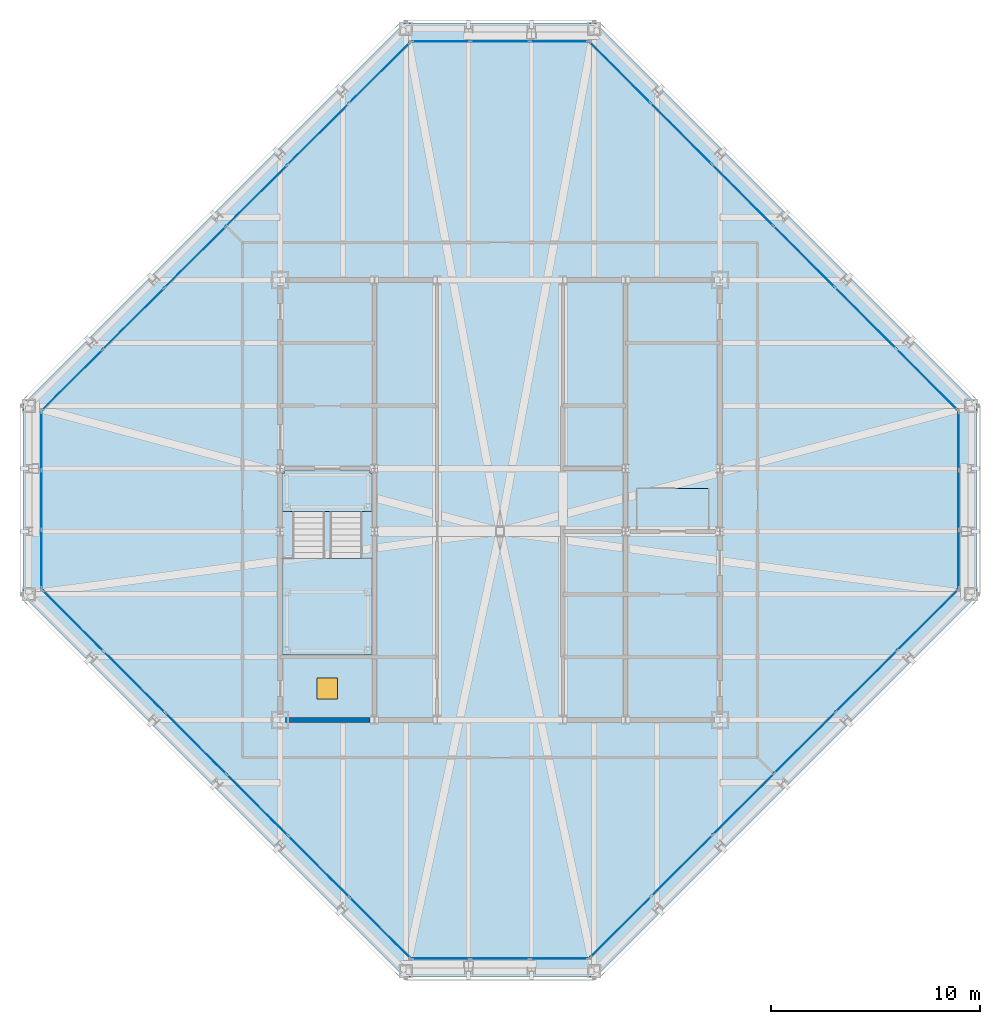
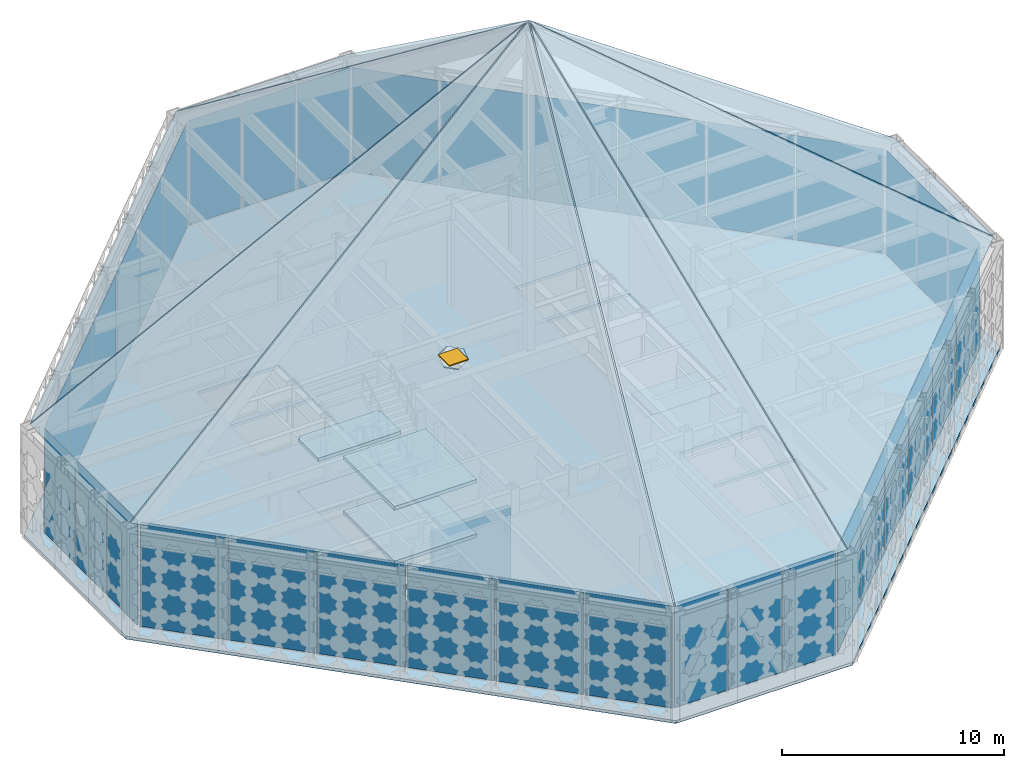
# One storey, part 13 of 30: 36 plates, 14 slabs, 1 door, 1 wall, 1 opening, 9 elements without a shape of their own.
"""IFC4 building model written with IfcOpenShell, lengths in metres."""

from ifc_helpers import new_model, si_unit, direction, frame, frame_2d, origin, origin_2d, place, context, subcontext, project, spatial, polyline, rectangle, outline, extrude, material, layer, layer_set, type_object, element, fill, aggregate, save


model = new_model("IFC4")

# Units and contexts
model_context = context("Model", 3, precision=1e-05, world=origin(), true_north=direction((0.0, 1.0)))
body_context = subcontext(model_context, "Body", "Model", "MODEL_VIEW")
ifc_project = project(units=[si_unit("LENGTHUNIT", "METRE"), si_unit("AREAUNIT", "SQUARE_METRE"), si_unit("VOLUMEUNIT", "CUBIC_METRE"), si_unit("PLANEANGLEUNIT", "RADIAN"), si_unit("MASSUNIT", "GRAM", prefix="KILO")], contexts=[model_context])

# Site, building, storey
site_placement = place(None, origin())
site = spatial("IfcSite", under=ifc_project, at=site_placement, CompositionType="ELEMENT")
building_placement = place(site_placement, origin())
building = spatial("IfcBuilding", under=site, at=building_placement, Name="Chuquiago Exchange Tower", CompositionType="ELEMENT")
storey_placement = place(building_placement, frame((0.0, 0.0, 306.0)))
storey = spatial("IfcBuildingStorey", under=building, at=storey_placement, Name="L68", CompositionType="ELEMENT", Elevation=306.0)

# Curtain wall, plate
ifc_material_1 = material(Name="Aluminium curtain wall system", Category="aluminium")
ifc_layer_1 = layer(ifc_material_1, 0.199951171875)
ifc_layer_set_1 = layer_set([ifc_layer_1], Name="CW5 lantern curtain wall")
curtain_wall_type = type_object("IfcCurtainWallType", Name="CW5 lantern curtain wall", PredefinedType="NOTDEFINED", material=ifc_layer_set_1)
curtain_wall_1_placement = place(storey_placement, origin())
curtain_wall_1 = element("IfcCurtainWall", 1, at=curtain_wall_1_placement, inside=storey, type_object=curtain_wall_type, Name="CW5 curtain wall L68", PredefinedType="NOTDEFINED")
ifc_material_2 = material(Name="Glass, insulating unit", Category="glass")
ifc_layer_2 = layer(ifc_material_2, 0.02392578125)
ifc_layer_set_2 = layer_set([ifc_layer_2], Name="CW5-P panel 24")
plate_type_1 = type_object("IfcPlateType", Name="CW5-P panel 24", PredefinedType="CURTAIN_PANEL", material=ifc_layer_set_2)
plate_1_placement = place(storey_placement, frame((25.3193359375, 0.60009765625, 0.06005859375), z_axis=(0.0, 0.0, 1.0), x_axis=(1.0, 0.0, 0.0)))
plate_1 = element("IfcPlate", 2, at=plate_1_placement, type_object=plate_type_1, Name="CW5 panel 3.1", PredefinedType="CURTAIN_PANEL", context=body_context, shape_type="SweptSolid", body=[
    extrude(rectangle(XDim=2.744384765625, YDim=0.02392578125, at=origin_2d()), origin(), (0.0, 0.0, 1.0), 5.739990234375),
])

# Curtain wall, plates
curtain_wall_2_placement = place(storey_placement, origin())
curtain_wall_2 = element("IfcCurtainWall", 3, at=curtain_wall_2_placement, inside=storey, type_object=curtain_wall_type, Name="CW5 curtain wall L68", PredefinedType="NOTDEFINED")
plate_2_placement = place(storey_placement, frame((28.26513671875, 2.11376953125, 0.06005859375), z_axis=(0.0, 0.0, 1.0), x_axis=(0.707108788515, 0.707104773852, 0.0)))
plate_2 = element("IfcPlate", 4, at=plate_2_placement, type_object=plate_type_1, Name="CW5 panel 1.1", PredefinedType="CURTAIN_PANEL", context=body_context, shape_type="SweptSolid", body=[
    extrude(rectangle(XDim=4.0615234375, YDim=0.02392578125, at=origin_2d()), origin(), (0.0, 0.0, 1.0), 5.739990234375),
])
plate_3_placement = place(storey_placement, frame((31.190185546875, 5.03857421875, 0.06005859375), z_axis=(0.0, 0.0, 1.0), x_axis=(0.707108788515, 0.707104773852, 0.0)))
plate_3 = element("IfcPlate", 5, at=plate_3_placement, type_object=plate_type_1, Name="CW5 panel 2.1", PredefinedType="CURTAIN_PANEL", context=body_context, shape_type="SweptSolid", body=[
    extrude(rectangle(XDim=4.091552734375, YDim=0.02392578125, at=origin_2d()), origin(), (0.0, 0.0, 1.0), 5.739990234375),
])
plate_4_placement = place(storey_placement, frame((34.125732421875, 7.97412109375, 0.06005859375), z_axis=(0.0, 0.0, 1.0), x_axis=(0.707108788515, 0.707104773852, 0.0)))
plate_4 = element("IfcPlate", 6, at=plate_4_placement, type_object=plate_type_1, Name="CW5 panel 3.1", PredefinedType="CURTAIN_PANEL", context=body_context, shape_type="SweptSolid", body=[
    extrude(rectangle(XDim=4.091552734375, YDim=0.02392578125, at=origin_2d()), origin(), (0.0, 0.0, 1.0), 5.739990234375),
])
plate_5_placement = place(storey_placement, frame((37.061279296875, 10.90966796875, 0.06005859375), z_axis=(0.0, 0.0, 1.0), x_axis=(0.707108788515, 0.707104773852, 0.0)))
plate_5 = element("IfcPlate", 7, at=plate_5_placement, type_object=plate_type_1, Name="CW5 panel 4.1", PredefinedType="CURTAIN_PANEL", context=body_context, shape_type="SweptSolid", body=[
    extrude(rectangle(XDim=4.091552734375, YDim=0.02392578125, at=origin_2d()), origin(), (0.0, 0.0, 1.0), 5.739990234375),
])
plate_6_placement = place(storey_placement, frame((39.99658203125, 13.84521484375, 0.06005859375), z_axis=(0.0, 0.0, 1.0), x_axis=(0.707108788515, 0.707104773852, 0.0)))
plate_6 = element("IfcPlate", 8, at=plate_6_placement, type_object=plate_type_1, Name="CW5 panel 5.1", PredefinedType="CURTAIN_PANEL", context=body_context, shape_type="SweptSolid", body=[
    extrude(rectangle(XDim=4.091552734375, YDim=0.02392578125, at=origin_2d()), origin(), (0.0, 0.0, 1.0), 5.739990234375),
])
plate_7_placement = place(storey_placement, frame((42.921630859375, 16.77001953125, 0.06005859375), z_axis=(0.0, 0.0, 1.0), x_axis=(0.707108788515, 0.707104773852, 0.0)))
plate_7 = element("IfcPlate", 9, at=plate_7_placement, type_object=plate_type_1, Name="CW5 panel 6.1", PredefinedType="CURTAIN_PANEL", context=body_context, shape_type="SweptSolid", body=[
    extrude(rectangle(XDim=4.0615234375, YDim=0.02392578125, at=origin_2d()), origin(), (0.0, 0.0, 1.0), 5.739990234375),
])
aggregate(curtain_wall_2, [plate_2, plate_3, plate_4, plate_5, plate_6, plate_7])

# Curtain wall, plate
curtain_wall_3_placement = place(storey_placement, origin())
curtain_wall_3 = element("IfcCurtainWall", 10, at=curtain_wall_3_placement, inside=storey, type_object=curtain_wall_type, Name="CW5 curtain wall L68", PredefinedType="NOTDEFINED")
plate_8_placement = place(storey_placement, frame((44.39990234375, 25.3193359375, 0.06005859375), z_axis=(0.0, 0.0, 1.0), x_axis=(0.0, 1.0, 0.0)))
plate_8 = element("IfcPlate", 11, at=plate_8_placement, type_object=plate_type_1, Name="CW5 panel 3.1", PredefinedType="CURTAIN_PANEL", context=body_context, shape_type="SweptSolid", body=[
    extrude(rectangle(XDim=2.744384765625, YDim=0.02392578125, at=origin_2d()), origin(), (0.0, 0.0, 1.0), 5.739990234375),
])

# Curtain wall, plates
curtain_wall_4_placement = place(storey_placement, origin())
curtain_wall_4 = element("IfcCurtainWall", 12, at=curtain_wall_4_placement, inside=storey, type_object=curtain_wall_type, Name="CW5 curtain wall L68", PredefinedType="NOTDEFINED")
plate_9_placement = place(storey_placement, frame((42.88623046875, 28.26513671875, 0.06005859375), z_axis=(0.0, 0.0, 1.0), x_axis=(-0.707104773852, 0.707108788515, 0.0)))
plate_9 = element("IfcPlate", 13, at=plate_9_placement, type_object=plate_type_1, Name="CW5 panel 1.1", PredefinedType="CURTAIN_PANEL", context=body_context, shape_type="SweptSolid", body=[
    extrude(rectangle(XDim=4.0615234375, YDim=0.02392578125, at=origin_2d()), origin(), (0.0, 0.0, 1.0), 5.739990234375),
])
plate_10_placement = place(storey_placement, frame((39.96142578125, 31.190185546875, 0.06005859375), z_axis=(0.0, 0.0, 1.0), x_axis=(-0.707104773852, 0.707108788515, 0.0)))
plate_10 = element("IfcPlate", 14, at=plate_10_placement, type_object=plate_type_1, Name="CW5 panel 2.1", PredefinedType="CURTAIN_PANEL", context=body_context, shape_type="SweptSolid", body=[
    extrude(rectangle(XDim=4.091552734375, YDim=0.02392578125, at=origin_2d()), origin(), (0.0, 0.0, 1.0), 5.739990234375),
])
plate_11_placement = place(storey_placement, frame((37.02587890625, 34.125732421875, 0.06005859375), z_axis=(0.0, 0.0, 1.0), x_axis=(-0.707104773852, 0.707108788515, 0.0)))
plate_11 = element("IfcPlate", 15, at=plate_11_placement, type_object=plate_type_1, Name="CW5 panel 3.1", PredefinedType="CURTAIN_PANEL", context=body_context, shape_type="SweptSolid", body=[
    extrude(rectangle(XDim=4.091552734375, YDim=0.02392578125, at=origin_2d()), origin(), (0.0, 0.0, 1.0), 5.739990234375),
])
plate_12_placement = place(storey_placement, frame((34.09033203125, 37.061279296875, 0.06005859375), z_axis=(0.0, 0.0, 1.0), x_axis=(-0.707104773852, 0.707108788515, 0.0)))
plate_12 = element("IfcPlate", 16, at=plate_12_placement, type_object=plate_type_1, Name="CW5 panel 4.1", PredefinedType="CURTAIN_PANEL", context=body_context, shape_type="SweptSolid", body=[
    extrude(rectangle(XDim=4.091552734375, YDim=0.02392578125, at=origin_2d()), origin(), (0.0, 0.0, 1.0), 5.739990234375),
])
plate_13_placement = place(storey_placement, frame((31.15478515625, 39.99658203125, 0.06005859375), z_axis=(0.0, 0.0, 1.0), x_axis=(-0.707104773852, 0.707108788515, 0.0)))
plate_13 = element("IfcPlate", 17, at=plate_13_placement, type_object=plate_type_1, Name="CW5 panel 5.1", PredefinedType="CURTAIN_PANEL", context=body_context, shape_type="SweptSolid", body=[
    extrude(rectangle(XDim=4.091552734375, YDim=0.02392578125, at=origin_2d()), origin(), (0.0, 0.0, 1.0), 5.739990234375),
])
plate_14_placement = place(storey_placement, frame((28.22998046875, 42.921630859375, 0.06005859375), z_axis=(0.0, 0.0, 1.0), x_axis=(-0.707104773852, 0.707108788515, 0.0)))
plate_14 = element("IfcPlate", 18, at=plate_14_placement, type_object=plate_type_1, Name="CW5 panel 6.1", PredefinedType="CURTAIN_PANEL", context=body_context, shape_type="SweptSolid", body=[
    extrude(rectangle(XDim=4.0615234375, YDim=0.02392578125, at=origin_2d()), origin(), (0.0, 0.0, 1.0), 5.739990234375),
])
aggregate(curtain_wall_4, [plate_9, plate_10, plate_11, plate_12, plate_13, plate_14])

# Curtain wall, plate
curtain_wall_5_placement = place(storey_placement, origin())
curtain_wall_5 = element("IfcCurtainWall", 19, at=curtain_wall_5_placement, inside=storey, type_object=curtain_wall_type, Name="CW5 curtain wall L68", PredefinedType="NOTDEFINED")
plate_15_placement = place(storey_placement, frame((19.6806640625, 44.39990234375, 0.06005859375), z_axis=(0.0, 0.0, 1.0), x_axis=(-1.0, 0.0, 0.0)))
plate_15 = element("IfcPlate", 20, at=plate_15_placement, type_object=plate_type_1, Name="CW5 panel 3.1", PredefinedType="CURTAIN_PANEL", context=body_context, shape_type="SweptSolid", body=[
    extrude(rectangle(XDim=2.744384765625, YDim=0.02392578125, at=origin_2d()), origin(), (0.0, 0.0, 1.0), 5.739990234375),
])

# Curtain wall, plates
curtain_wall_6_placement = place(storey_placement, origin())
curtain_wall_6 = element("IfcCurtainWall", 21, at=curtain_wall_6_placement, inside=storey, type_object=curtain_wall_type, Name="CW5 curtain wall L68", PredefinedType="NOTDEFINED")
plate_16_placement = place(storey_placement, frame((16.73486328125, 42.88623046875, 0.06005859375), z_axis=(0.0, 0.0, 1.0), x_axis=(-0.707108788515, -0.707104773852, 0.0)))
plate_16 = element("IfcPlate", 22, at=plate_16_placement, type_object=plate_type_1, Name="CW5 panel 1.1", PredefinedType="CURTAIN_PANEL", context=body_context, shape_type="SweptSolid", body=[
    extrude(rectangle(XDim=4.0615234375, YDim=0.02392578125, at=origin_2d()), origin(), (0.0, 0.0, 1.0), 5.739990234375),
])
plate_17_placement = place(storey_placement, frame((13.809814453125, 39.96142578125, 0.06005859375), z_axis=(0.0, 0.0, 1.0), x_axis=(-0.707108788515, -0.707104773852, 0.0)))
plate_17 = element("IfcPlate", 23, at=plate_17_placement, type_object=plate_type_1, Name="CW5 panel 2.1", PredefinedType="CURTAIN_PANEL", context=body_context, shape_type="SweptSolid", body=[
    extrude(rectangle(XDim=4.091552734375, YDim=0.02392578125, at=origin_2d()), origin(), (0.0, 0.0, 1.0), 5.739990234375),
])
plate_18_placement = place(storey_placement, frame((10.874267578125, 37.02587890625, 0.06005859375), z_axis=(0.0, 0.0, 1.0), x_axis=(-0.707108788515, -0.707104773852, 0.0)))
plate_18 = element("IfcPlate", 24, at=plate_18_placement, type_object=plate_type_1, Name="CW5 panel 3.1", PredefinedType="CURTAIN_PANEL", context=body_context, shape_type="SweptSolid", body=[
    extrude(rectangle(XDim=4.091552734375, YDim=0.02392578125, at=origin_2d()), origin(), (0.0, 0.0, 1.0), 5.739990234375),
])
plate_19_placement = place(storey_placement, frame((7.938720703125, 34.09033203125, 0.06005859375), z_axis=(0.0, 0.0, 1.0), x_axis=(-0.707108788515, -0.707104773852, 0.0)))
plate_19 = element("IfcPlate", 25, at=plate_19_placement, type_object=plate_type_1, Name="CW5 panel 4.1", PredefinedType="CURTAIN_PANEL", context=body_context, shape_type="SweptSolid", body=[
    extrude(rectangle(XDim=4.091552734375, YDim=0.02392578125, at=origin_2d()), origin(), (0.0, 0.0, 1.0), 5.739990234375),
])
plate_20_placement = place(storey_placement, frame((5.00341796875, 31.15478515625, 0.06005859375), z_axis=(0.0, 0.0, 1.0), x_axis=(-0.707108788515, -0.707104773852, 0.0)))
plate_20 = element("IfcPlate", 26, at=plate_20_placement, type_object=plate_type_1, Name="CW5 panel 5.1", PredefinedType="CURTAIN_PANEL", context=body_context, shape_type="SweptSolid", body=[
    extrude(rectangle(XDim=4.091552734375, YDim=0.02392578125, at=origin_2d()), origin(), (0.0, 0.0, 1.0), 5.739990234375),
])
plate_21_placement = place(storey_placement, frame((2.078369140625, 28.22998046875, 0.06005859375), z_axis=(0.0, 0.0, 1.0), x_axis=(-0.707108788515, -0.707104773852, 0.0)))
plate_21 = element("IfcPlate", 27, at=plate_21_placement, type_object=plate_type_1, Name="CW5 panel 6.1", PredefinedType="CURTAIN_PANEL", context=body_context, shape_type="SweptSolid", body=[
    extrude(rectangle(XDim=4.0615234375, YDim=0.02392578125, at=origin_2d()), origin(), (0.0, 0.0, 1.0), 5.739990234375),
])
aggregate(curtain_wall_6, [plate_16, plate_17, plate_18, plate_19, plate_20, plate_21])

# Curtain wall, plate
curtain_wall_7_placement = place(storey_placement, origin())
curtain_wall_7 = element("IfcCurtainWall", 28, at=curtain_wall_7_placement, inside=storey, type_object=curtain_wall_type, Name="CW5 curtain wall L68", PredefinedType="NOTDEFINED")
plate_22_placement = place(storey_placement, frame((0.60009765625, 19.6806640625, 0.06005859375), z_axis=(0.0, 0.0, 1.0), x_axis=(0.0, -1.0, 0.0)))
plate_22 = element("IfcPlate", 29, at=plate_22_placement, type_object=plate_type_1, Name="CW5 panel 3.1", PredefinedType="CURTAIN_PANEL", context=body_context, shape_type="SweptSolid", body=[
    extrude(rectangle(XDim=2.744384765625, YDim=0.02392578125, at=origin_2d()), origin(), (0.0, 0.0, 1.0), 5.739990234375),
])

# Curtain wall, plates
curtain_wall_8_placement = place(storey_placement, origin())
curtain_wall_8 = element("IfcCurtainWall", 30, at=curtain_wall_8_placement, inside=storey, type_object=curtain_wall_type, Name="CW5 curtain wall L68", PredefinedType="NOTDEFINED")
plate_23_placement = place(storey_placement, frame((2.11376953125, 16.73486328125, 0.06005859375), z_axis=(0.0, 0.0, 1.0), x_axis=(0.707104773852, -0.707108788515, 0.0)))
plate_23 = element("IfcPlate", 31, at=plate_23_placement, type_object=plate_type_1, Name="CW5 panel 1.1", PredefinedType="CURTAIN_PANEL", context=body_context, shape_type="SweptSolid", body=[
    extrude(rectangle(XDim=4.0615234375, YDim=0.02392578125, at=origin_2d()), origin(), (0.0, 0.0, 1.0), 5.739990234375),
])
plate_24_placement = place(storey_placement, frame((5.03857421875, 13.809814453125, 0.06005859375), z_axis=(0.0, 0.0, 1.0), x_axis=(0.707104773852, -0.707108788515, 0.0)))
plate_24 = element("IfcPlate", 32, at=plate_24_placement, type_object=plate_type_1, Name="CW5 panel 2.1", PredefinedType="CURTAIN_PANEL", context=body_context, shape_type="SweptSolid", body=[
    extrude(rectangle(XDim=4.091552734375, YDim=0.02392578125, at=origin_2d()), origin(), (0.0, 0.0, 1.0), 5.739990234375),
])
plate_25_placement = place(storey_placement, frame((7.97412109375, 10.874267578125, 0.06005859375), z_axis=(0.0, 0.0, 1.0), x_axis=(0.707104773852, -0.707108788515, 0.0)))
plate_25 = element("IfcPlate", 33, at=plate_25_placement, type_object=plate_type_1, Name="CW5 panel 3.1", PredefinedType="CURTAIN_PANEL", context=body_context, shape_type="SweptSolid", body=[
    extrude(rectangle(XDim=4.091552734375, YDim=0.02392578125, at=origin_2d()), origin(), (0.0, 0.0, 1.0), 5.739990234375),
])
plate_26_placement = place(storey_placement, frame((10.90966796875, 7.938720703125, 0.06005859375), z_axis=(0.0, 0.0, 1.0), x_axis=(0.707104773852, -0.707108788515, 0.0)))
plate_26 = element("IfcPlate", 34, at=plate_26_placement, type_object=plate_type_1, Name="CW5 panel 4.1", PredefinedType="CURTAIN_PANEL", context=body_context, shape_type="SweptSolid", body=[
    extrude(rectangle(XDim=4.091552734375, YDim=0.02392578125, at=origin_2d()), origin(), (0.0, 0.0, 1.0), 5.739990234375),
])
plate_27_placement = place(storey_placement, frame((13.84521484375, 5.00341796875, 0.06005859375), z_axis=(0.0, 0.0, 1.0), x_axis=(0.707104773852, -0.707108788515, 0.0)))
plate_27 = element("IfcPlate", 35, at=plate_27_placement, type_object=plate_type_1, Name="CW5 panel 5.1", PredefinedType="CURTAIN_PANEL", context=body_context, shape_type="SweptSolid", body=[
    extrude(rectangle(XDim=4.091552734375, YDim=0.02392578125, at=origin_2d()), origin(), (0.0, 0.0, 1.0), 5.739990234375),
])
plate_28_placement = place(storey_placement, frame((16.77001953125, 2.078369140625, 0.06005859375), z_axis=(0.0, 0.0, 1.0), x_axis=(0.707104773852, -0.707108788515, 0.0)))
plate_28 = element("IfcPlate", 36, at=plate_28_placement, type_object=plate_type_1, Name="CW5 panel 6.1", PredefinedType="CURTAIN_PANEL", context=body_context, shape_type="SweptSolid", body=[
    extrude(rectangle(XDim=4.0615234375, YDim=0.02392578125, at=origin_2d()), origin(), (0.0, 0.0, 1.0), 5.739990234375),
])
aggregate(curtain_wall_8, [plate_23, plate_24, plate_25, plate_26, plate_27, plate_28])

# Plate
ifc_material_3 = material(Name="Insulated spandrel panel, pale anodised aluminium", Category="aluminium")
ifc_layer_3 = layer(ifc_material_3, 0.02392578125)
ifc_layer_set_3 = layer_set([ifc_layer_3], Name="CW5-P spandrel panel 24")
plate_type_2 = type_object("IfcPlateType", Name="CW5-P spandrel panel 24", PredefinedType="CURTAIN_PANEL", material=ifc_layer_set_3)
plate_29_placement = place(storey_placement, frame((19.6806640625, 0.60009765625, 0.06005859375), z_axis=(0.0, 0.0, 1.0), x_axis=(1.0, 0.0, 0.0)))
plate_29 = element("IfcPlate", 37, at=plate_29_placement, type_object=plate_type_2, Name="CW5 panel 1.1", PredefinedType="CURTAIN_PANEL", context=body_context, shape_type="SweptSolid", body=[
    extrude(rectangle(XDim=2.744384765625, YDim=0.02392578125, at=origin_2d()), origin(), (0.0, 0.0, 1.0), 5.739990234375),
])

plate_30_placement = place(storey_placement, frame((22.5, 0.60009765625, 0.06005859375), z_axis=(0.0, 0.0, 1.0), x_axis=(1.0, 0.0, 0.0)))
plate_30 = element("IfcPlate", 38, at=plate_30_placement, type_object=plate_type_2, Name="CW5 panel 2.1", PredefinedType="CURTAIN_PANEL", context=body_context, shape_type="SweptSolid", body=[
    extrude(rectangle(XDim=2.7744140625, YDim=0.02392578125, at=origin_2d()), origin(), (0.0, 0.0, 1.0), 5.739990234375),
])

aggregate(curtain_wall_1, [plate_29, plate_30, plate_1])

plate_31_placement = place(storey_placement, frame((44.39990234375, 19.6806640625, 0.06005859375), z_axis=(0.0, 0.0, 1.0), x_axis=(0.0, 1.0, 0.0)))
plate_31 = element("IfcPlate", 39, at=plate_31_placement, type_object=plate_type_2, Name="CW5 panel 1.1", PredefinedType="CURTAIN_PANEL", context=body_context, shape_type="SweptSolid", body=[
    extrude(rectangle(XDim=2.744384765625, YDim=0.02392578125, at=origin_2d()), origin(), (0.0, 0.0, 1.0), 5.739990234375),
])

plate_32_placement = place(storey_placement, frame((44.39990234375, 22.5, 0.06005859375), z_axis=(0.0, 0.0, 1.0), x_axis=(0.0, 1.0, 0.0)))
plate_32 = element("IfcPlate", 40, at=plate_32_placement, type_object=plate_type_2, Name="CW5 panel 2.1", PredefinedType="CURTAIN_PANEL", context=body_context, shape_type="SweptSolid", body=[
    extrude(rectangle(XDim=2.7744140625, YDim=0.02392578125, at=origin_2d()), origin(), (0.0, 0.0, 1.0), 5.739990234375),
])

aggregate(curtain_wall_3, [plate_31, plate_32, plate_8])

plate_33_placement = place(storey_placement, frame((25.3193359375, 44.39990234375, 0.06005859375), z_axis=(0.0, 0.0, 1.0), x_axis=(-1.0, 0.0, 0.0)))
plate_33 = element("IfcPlate", 41, at=plate_33_placement, type_object=plate_type_2, Name="CW5 panel 1.1", PredefinedType="CURTAIN_PANEL", context=body_context, shape_type="SweptSolid", body=[
    extrude(rectangle(XDim=2.744384765625, YDim=0.02392578125, at=origin_2d()), origin(), (0.0, 0.0, 1.0), 5.739990234375),
])

plate_34_placement = place(storey_placement, frame((22.5, 44.39990234375, 0.06005859375), z_axis=(0.0, 0.0, 1.0), x_axis=(-1.0, 0.0, 0.0)))
plate_34 = element("IfcPlate", 42, at=plate_34_placement, type_object=plate_type_2, Name="CW5 panel 2.1", PredefinedType="CURTAIN_PANEL", context=body_context, shape_type="SweptSolid", body=[
    extrude(rectangle(XDim=2.7744140625, YDim=0.02392578125, at=origin_2d()), origin(), (0.0, 0.0, 1.0), 5.739990234375),
])

aggregate(curtain_wall_5, [plate_33, plate_34, plate_15])

plate_35_placement = place(storey_placement, frame((0.60009765625, 25.3193359375, 0.06005859375), z_axis=(0.0, 0.0, 1.0), x_axis=(0.0, -1.0, 0.0)))
plate_35 = element("IfcPlate", 43, at=plate_35_placement, type_object=plate_type_2, Name="CW5 panel 1.1", PredefinedType="CURTAIN_PANEL", context=body_context, shape_type="SweptSolid", body=[
    extrude(rectangle(XDim=2.744384765625, YDim=0.02392578125, at=origin_2d()), origin(), (0.0, 0.0, 1.0), 5.739990234375),
])

plate_36_placement = place(storey_placement, frame((0.60009765625, 22.5, 0.06005859375), z_axis=(0.0, 0.0, 1.0), x_axis=(0.0, -1.0, 0.0)))
plate_36 = element("IfcPlate", 44, at=plate_36_placement, type_object=plate_type_2, Name="CW5 panel 2.1", PredefinedType="CURTAIN_PANEL", context=body_context, shape_type="SweptSolid", body=[
    extrude(rectangle(XDim=2.7744140625, YDim=0.02392578125, at=origin_2d()), origin(), (0.0, 0.0, 1.0), 5.739990234375),
])

aggregate(curtain_wall_7, [plate_35, plate_36, plate_22])

# Slabs
ifc_material_4 = material(Name="Concrete C30/37", Category="concrete")
ifc_layer_4 = layer(ifc_material_4, 0.159912109375)
ifc_layer_set_4 = layer_set([ifc_layer_4], Name="FS1 composite floor 160")
slab_type_1 = type_object("IfcSlabType", Name="FS1 composite floor 160", PredefinedType="FLOOR", material=ifc_layer_set_4)
slab_1_placement = place(storey_placement, frame((0.0, 0.0, -0.159912109375)))
element("IfcSlab", 45, at=slab_1_placement, inside=storey, type_object=slab_type_1, Name="L68 floor slab", PredefinedType="FLOOR", context=body_context, shape_type="SweptSolid", body=[
    extrude(outline(polyline([(17.896484375, -0.25), (-0.25, 17.896484375), (-0.25, 27.103515625), (17.896484375, 45.25), (27.103515625, 45.25), (45.25, 27.103515625), (45.25, 17.896484375), (27.103515625, -0.25), (17.896484375, -0.25)]), holes=[polyline([(16.39990234375, 15.10009765625), (12.10009765625, 15.10009765625), (12.10009765625, 23.89990234375), (16.39990234375, 23.89990234375), (16.39990234375, 15.10009765625)]), polyline([(32.89990234375, 21.10009765625), (28.60009765625, 21.10009765625), (28.60009765625, 29.89990234375), (32.89990234375, 29.89990234375), (32.89990234375, 21.10009765625)]), polyline([(16.39990234375, 12.10009765625), (12.10009765625, 12.10009765625), (12.10009765625, 14.89990234375), (16.39990234375, 14.89990234375), (16.39990234375, 12.10009765625)]), polyline([(16.39990234375, 30.10009765625), (12.10009765625, 30.10009765625), (12.10009765625, 32.89990234375), (16.39990234375, 32.89990234375), (16.39990234375, 30.10009765625)]), polyline([(32.89990234375, 12.10009765625), (28.60009765625, 12.10009765625), (28.60009765625, 14.89990234375), (32.89990234375, 14.89990234375), (32.89990234375, 12.10009765625)]), polyline([(32.89990234375, 30.10009765625), (28.60009765625, 30.10009765625), (28.60009765625, 32.89990234375), (32.89990234375, 32.89990234375), (32.89990234375, 30.10009765625)]), polyline([(16.39990234375, 27.10009765625), (12.10009765625, 27.10009765625), (12.10009765625, 29.89990234375), (16.39990234375, 29.89990234375), (16.39990234375, 27.10009765625)]), polyline([(32.89990234375, 15.10009765625), (28.60009765625, 15.10009765625), (28.60009765625, 17.89990234375), (32.89990234375, 17.89990234375), (32.89990234375, 15.10009765625)])]), origin(), (0.0, 0.0, 1.0), 0.159912109375),
])
ifc_material_5 = material(Name="Glass, two-ply heat-strengthened safety glass", Category="glass")
ifc_layer_5 = layer(ifc_material_5, 0.06005859375)
ifc_layer_set_5 = layer_set([ifc_layer_5], Name="RS3 crown glazing 60")
slab_type_2 = type_object("IfcSlabType", Name="RS3 crown glazing 60", PredefinedType="ROOF", material=ifc_layer_set_5)
slab_2_placement = place(storey_placement, frame((18.035888671875, 0.0, 6.0791015625), z_axis=(0.0, -0.650787709684, 0.759259742726), x_axis=(1.0, 0.0, 0.0)))
element("IfcSlab", 46, at=slab_2_placement, inside=storey, type_object=slab_type_2, Name="Lantern crown glazing facet 1", PredefinedType="ROOF", context=body_context, shape_type="SweptSolid", body=[
    extrude(outline(polyline([(0.0, 0.0), (8.92822265625, 0.0), (4.464111328125, 27.438578183663815), (0.0, 0.0)])), origin(), (0.0, 0.0, -1.0), 0.06005859375),
])
slab_3_placement = place(storey_placement, frame((27.029541015625, 0.029541015625, 6.084716796875), z_axis=(0.499568139009, -0.499568139009, 0.707716997799), x_axis=(0.707106781187, 0.707106781187, 0.0)))
element("IfcSlab", 47, at=slab_3_placement, inside=storey, type_object=slab_type_2, Name="Lantern crown glazing facet 2", PredefinedType="ROOF", context=body_context, shape_type="SweptSolid", body=[
    extrude(outline(polyline([(0.0, 0.0), (25.3698726439484, 0.0), (11.627901453515893, 25.39214966876624), (0.0, 0.0)])), origin(), (0.0, 0.0, -1.0), 0.06005859375),
])
slab_4_placement = place(storey_placement, frame((45.0, 18.035400390625, 6.076904296875), z_axis=(0.624692964424, 0.0, 0.780870475943), x_axis=(0.0, 1.0, 0.0)))
element("IfcSlab", 48, at=slab_4_placement, inside=storey, type_object=slab_type_2, Name="Lantern crown glazing facet 3", PredefinedType="ROOF", context=body_context, shape_type="SweptSolid", body=[
    extrude(outline(polyline([(0.0, 0.0), (8.928466796875, 0.0), (2.97607421875, 28.585136396093677), (0.0, 0.0)])), origin(), (0.0, 0.0, -1.0), 0.06005859375),
])
slab_5_placement = place(storey_placement, frame((44.971435546875, 27.028564453125, 6.08056640625), z_axis=(0.471041203187, 0.471041203187, 0.74581523838), x_axis=(-0.707106781187, 0.707106781187, 0.0)))
element("IfcSlab", 49, at=slab_5_placement, inside=storey, type_object=slab_type_2, Name="Lantern crown glazing facet 4", PredefinedType="ROOF", context=body_context, shape_type="SweptSolid", body=[
    extrude(outline(polyline([(0.0, 0.0), (25.372980046795416, 0.0), (11.629282521447898, 26.93286688628119), (0.0, 0.0)])), origin(), (0.0, 0.0, -1.0), 0.06005859375),
])
slab_6_placement = place(storey_placement, frame((26.96435546875, 45.0, 6.074951171875), z_axis=(0.0, 0.600002624931, 0.799998031295), x_axis=(-1.0, 0.0, 0.0)))
element("IfcSlab", 50, at=slab_6_placement, inside=storey, type_object=slab_type_2, Name="Lantern crown glazing facet 5", PredefinedType="ROOF", context=body_context, shape_type="SweptSolid", body=[
    extrude(outline(polyline([(0.0, 0.0), (8.9287109375, 0.0), (4.46435546875, 29.762646484535214), (0.0, 0.0)])), origin(), (0.0, 0.0, -1.0), 0.06005859375),
])
slab_7_placement = place(storey_placement, frame((17.969970703125, 44.969970703125, 6.08056640625), z_axis=(-0.471041203187, 0.471041203187, 0.74581523838), x_axis=(-0.707106781187, -0.707106781187, 0.0)))
element("IfcSlab", 51, at=slab_7_placement, inside=storey, type_object=slab_type_2, Name="Lantern crown glazing facet 6", PredefinedType="ROOF", context=body_context, shape_type="SweptSolid", body=[
    extrude(outline(polyline([(0.0, 0.0), (25.372980046795416, 0.0), (13.743697525347514, 26.93286688628119), (0.0, 0.0)])), origin(), (0.0, 0.0, -1.0), 0.06005859375),
])
slab_8_placement = place(storey_placement, frame((0.0, 26.9638671875, 6.076904296875), z_axis=(-0.624692964424, 0.0, 0.780870475943), x_axis=(0.0, -1.0, 0.0)))
element("IfcSlab", 52, at=slab_8_placement, inside=storey, type_object=slab_type_2, Name="Lantern crown glazing facet 7", PredefinedType="ROOF", context=body_context, shape_type="SweptSolid", body=[
    extrude(outline(polyline([(0.0, 0.0), (8.928466796875, 0.0), (5.952392578125, 28.585136396093677), (0.0, 0.0)])), origin(), (0.0, 0.0, -1.0), 0.06005859375),
])

# Slab, opening, door
slab_9_placement = place(storey_placement, frame((0.03125, 17.96875, 6.084716796875), z_axis=(-0.499568139009, -0.499568139009, 0.707716997799), x_axis=(0.707106781187, -0.707106781187, 0.0)))
slab_9 = element("IfcSlab", 53, at=slab_9_placement, inside=storey, type_object=slab_type_2, Name="Lantern crown glazing facet 8", PredefinedType="ROOF", context=body_context, shape_type="SweptSolid", body=[
    extrude(outline(polyline([(0.0, 0.0), (25.3698726439484, 0.0), (13.74197119043251, 25.39214966876624), (0.0, 0.0)])), origin(), (0.0, 0.0, -1.0), 0.06005859375),
])
opening_placement = place(storey_placement, frame((14.25, 13.5, 12.582275390625)))
opening = element("IfcOpeningElement", 54, at=opening_placement, cuts=slab_9, Name="Opening RH2", PredefinedType="OPENING", context=body_context, shape_type="SweptSolid", body=[
    extrude(rectangle(XDim=1.0, YDim=1.0, at=origin_2d()), origin(), (0.0, 0.0, 1.0), 0.684814453125),
])
ifc_material_6 = material(Name="Aluminium hatch, insulated, with upstand", Category="aluminium")
door_type = type_object("IfcDoorType", Name="RH2 roof hatch 1000x1000", OperationType="SINGLE_SWING_LEFT", PredefinedType="TRAPDOOR", material=ifc_material_6)
door_placement = place(opening_placement, frame((0.0, 0.0, 0.334716796875)))
door = element("IfcDoor", 55, at=door_placement, inside=storey, type_object=door_type, Name="Crown glazing maintenance hatch over the main roof hatch, maintenance only", OperationType="SINGLE_SWING_LEFT", OverallHeight=1.0, OverallWidth=1.0, PredefinedType="TRAPDOOR", context=body_context, shape_type="SweptSolid", body=[
    extrude(rectangle(XDim=1.0, YDim=1.0, at=origin_2d()), origin(), (0.0, 0.0, 1.0), 0.050048828125),
])
fill(opening, door)

# Stair, slabs
ifc_material_7 = material(Name="Concrete C30/37, precast", Category="concrete")
stair_type = type_object("IfcStairType", Name="ST1 double half-turn stair 6000", PredefinedType="DOUBLE_RETURN_STAIR", material=ifc_material_7)
stair_placement = place(storey_placement, origin())
stair = element("IfcStair", 56, at=stair_placement, inside=storey, type_object=stair_type, Name="Stair ST1 L68", PredefinedType="DOUBLE_RETURN_STAIR")
ifc_material_8 = material(Name="Concrete C30/37, precast", Category="concrete")
ifc_layer_6 = layer(ifc_material_8, 0.199951171875)
ifc_layer_set_6 = layer_set([ifc_layer_6], Name="ST-L landing 200")
slab_type_3 = type_object("IfcSlabType", Name="ST-L landing 200", PredefinedType="LANDING", material=ifc_layer_set_6)
slab_10_placement = place(storey_placement, frame((0.0, 0.0, -0.199951171875)))
slab_10 = element("IfcSlab", 57, at=slab_10_placement, type_object=slab_type_3, Name="ST1 landing 1", PredefinedType="LANDING", context=body_context, shape_type="SweptSolid", body=[
    extrude(outline(polyline([(12.208251953125, 23.89990234375), (16.291748046875, 23.89990234375), (16.291748046875, 23.77783203125), (16.39990234375, 23.77783203125), (16.39990234375, 21.949951171875), (12.10009765625, 21.949951171875), (12.10009765625, 23.77783203125), (12.208251953125, 23.77783203125), (12.208251953125, 23.89990234375)])), origin(), (0.0, 0.0, 1.0), 0.199951171875),
])
slab_11_placement = place(storey_placement, frame((0.0, 0.0, 1.300048828125)))
slab_11 = element("IfcSlab", 58, at=slab_11_placement, type_object=slab_type_3, Name="ST1 landing 2", PredefinedType="LANDING", context=body_context, shape_type="SweptSolid", body=[
    extrude(outline(polyline([(12.10009765625, 19.7099609375), (16.39990234375, 19.7099609375), (16.39990234375, 15.10009765625), (12.10009765625, 15.10009765625), (12.10009765625, 19.7099609375)])), origin(), (0.0, 0.0, 1.0), 0.199951171875),
])
slab_12_placement = place(storey_placement, frame((0.0, 0.0, 2.800048828125)))
slab_12 = element("IfcSlab", 59, at=slab_12_placement, type_object=slab_type_3, Name="ST1 landing 3", PredefinedType="LANDING", context=body_context, shape_type="SweptSolid", body=[
    extrude(outline(polyline([(12.208251953125, 23.89990234375), (16.291748046875, 23.89990234375), (16.291748046875, 23.77783203125), (16.39990234375, 23.77783203125), (16.39990234375, 21.949951171875), (12.10009765625, 21.949951171875), (12.10009765625, 23.77783203125), (12.208251953125, 23.77783203125), (12.208251953125, 23.89990234375)])), origin(), (0.0, 0.0, 1.0), 0.199951171875),
])
slab_13_placement = place(storey_placement, frame((0.0, 0.0, 4.300048828125)))
slab_13 = element("IfcSlab", 60, at=slab_13_placement, type_object=slab_type_3, Name="ST1 landing 4", PredefinedType="LANDING", context=body_context, shape_type="SweptSolid", body=[
    extrude(outline(polyline([(12.10009765625, 19.7099609375), (16.39990234375, 19.7099609375), (16.39990234375, 15.10009765625), (12.10009765625, 15.10009765625), (12.10009765625, 19.7099609375)])), origin(), (0.0, 0.0, 1.0), 0.199951171875),
])
aggregate(stair, [slab_10, slab_11, slab_12, slab_13])

# Slab
slab_14_placement = place(storey_placement, frame((0.0, 0.0, -0.199951171875)))
element("IfcSlab", 61, at=slab_14_placement, inside=storey, type_object=slab_type_3, Name="Stair ST2 top landing L68", PredefinedType="LANDING", context=body_context, shape_type="SweptSolid", body=[
    extrude(outline(polyline([(29.02490234375, 21.10009765625), (32.47509765625, 21.10009765625), (32.47509765625, 23.050048828125), (29.02490234375, 23.050048828125), (29.02490234375, 21.10009765625)])), origin(), (0.0, 0.0, 1.0), 0.199951171875),
])

# Wall
ifc_material_9 = material(Name="Concrete masonry, fully grouted", Category="masonry")
ifc_layer_7 = layer(ifc_material_9, 0.25)
ifc_layer_set_7 = layer_set([ifc_layer_7], Name="W1 core wall 250")
wall_type = type_object("IfcWallType", Name="W1 core wall 250", PredefinedType="SOLIDWALL", material=ifc_layer_set_7)
wall_placement = place(storey_placement, frame((12.25, 12.0, 0.0), z_axis=(0.0, 0.0, 1.0), x_axis=(1.0, 0.0, 0.0)))
element("IfcWall", 62, at=wall_placement, inside=storey, type_object=wall_type, Name="CW-L68-01-0", PredefinedType="SOLIDWALL", context=body_context, shape_type="SweptSolid", body=[
    extrude(rectangle(XDim=4.041748046875, YDim=0.25, at=frame_2d((2.02099609375, 0.0))), origin(), (0.0, 0.0, 1.0), 4.94140625),
])

save(model, "model.ifc")
